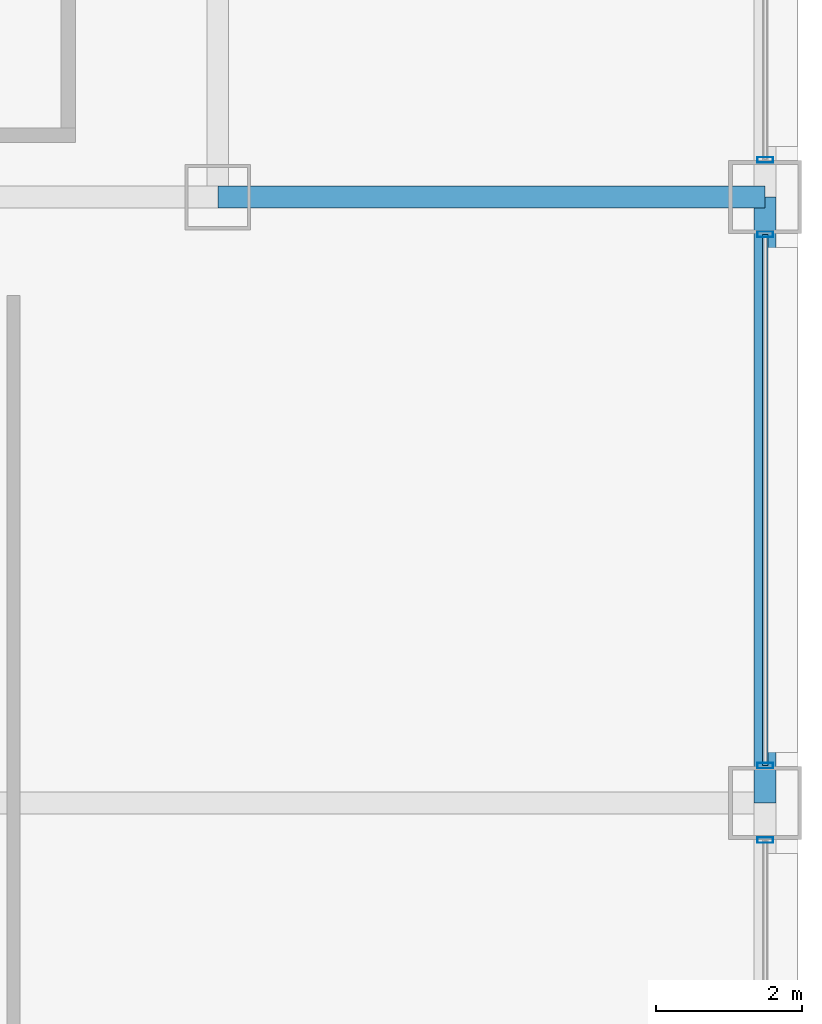
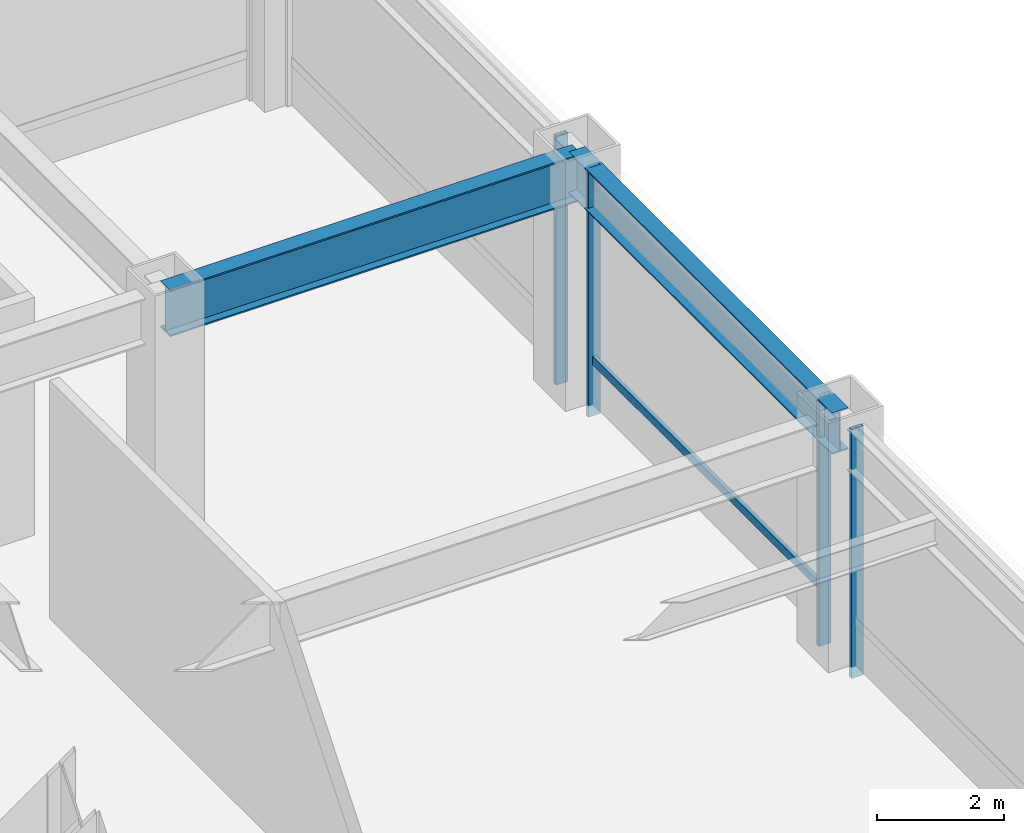
# One storey, part 20 of 37: 5 members, 2 beams, 3 elements without a shape of their own.
"""IFC4 building model written with IfcOpenShell, lengths in metres."""

from ifc_helpers import new_model, si_unit, direction, frame, origin, origin_2d, place, context, subcontext, project, spatial, hollow_rectangle, i_section, extrude, material, layer, layer_set, material_profile, profile_set, type_object, element, aggregate, save


model = new_model("IFC4")

# Units and contexts
model_context = context("Model", 3, precision=1e-05, world=origin(), true_north=direction((0.0, 1.0)))
body_context = subcontext(model_context, "Body", "Model", "MODEL_VIEW")
ifc_project = project(units=[si_unit("LENGTHUNIT", "METRE"), si_unit("AREAUNIT", "SQUARE_METRE"), si_unit("VOLUMEUNIT", "CUBIC_METRE"), si_unit("PLANEANGLEUNIT", "RADIAN"), si_unit("MASSUNIT", "GRAM", prefix="KILO")], contexts=[model_context])

# Site, building, storey
site_placement = place(None, origin())
site = spatial("IfcSite", under=ifc_project, at=site_placement, CompositionType="ELEMENT")
building_placement = place(site_placement, origin())
building = spatial("IfcBuilding", under=site, at=building_placement, Name="Brelmoor Portico Tower", CompositionType="ELEMENT")
storey_placement = place(building_placement, frame((0.0, 0.0, 14.39990234375)))
storey = spatial("IfcBuildingStorey", under=building, at=storey_placement, Name="L03", CompositionType="ELEMENT", Elevation=14.39990234375)

# Beams
ifc_material_1 = material(Name="Steel Q355B", Category="steel")
ifc_material_profile_1 = material_profile(ifc_material_1, i_section(OverallWidth=0.300048828125, OverallDepth=0.89990234375, WebThickness=0.01611328125, FlangeThickness=0.028076171875, at=origin_2d()), Name="HN 900x300x16x28")
ifc_profile_set_1 = profile_set([ifc_material_profile_1], Name="Steel Q355B")
beam_type_1 = type_object("IfcBeamType", Name="BM-PG-900", PredefinedType="BEAM", material=ifc_profile_set_1)
beam_1_placement = place(storey_placement, frame((21.050048828125, 18.050048828125, 4.130126953125), z_axis=(1.0, 0.0, 0.0), x_axis=(0.0, 1.0, 0.0)))
element("IfcBeam", 1, at=beam_1_placement, inside=storey, type_object=beam_type_1, Name="L03 Primary Floor Girder PG-43", PredefinedType="BEAM", context=body_context, shape_type="SweptSolid", body=[
    extrude(i_section(OverallWidth=0.300048828125, OverallDepth=0.89990234375, WebThickness=0.01611328125, FlangeThickness=0.028076171875, at=origin_2d()), origin(), (0.0, 0.0, 1.0), 7.5),
])
ifc_material_profile_2 = material_profile(ifc_material_1, i_section(OverallWidth=0.300048828125, OverallDepth=0.800048828125, WebThickness=0.013916015625, FlangeThickness=0.02587890625, at=origin_2d()), Name="HN 800x300x14x26")
ifc_profile_set_2 = profile_set([ifc_material_profile_2], Name="Steel Q355B")
beam_type_2 = type_object("IfcBeamType", Name="BM-SP-800", PredefinedType="SPANDREL", material=ifc_profile_set_2)
beam_2_placement = place(storey_placement, frame((28.550048828125, 9.75, 4.18017578125), z_axis=(0.0, 1.0, 0.0), x_axis=(-1.0, 0.0, 0.0)))
element("IfcBeam", 2, at=beam_2_placement, inside=storey, type_object=beam_type_2, Name="L03 Perimeter Spandrel Beam SP-21", PredefinedType="SPANDREL", context=body_context, shape_type="SweptSolid", body=[
    extrude(i_section(OverallWidth=0.300048828125, OverallDepth=0.800048828125, WebThickness=0.013916015625, FlangeThickness=0.02587890625, at=origin_2d()), origin(), (0.0, 0.0, 1.0), 8.300048828125),
])

# Curtain wall, member
ifc_material_2 = material(Name="Anodised Aluminium Alloy 6063-T6", Category="aluminium")
ifc_layer = layer(ifc_material_2, 0.179931640625)
ifc_layer_set = layer_set([ifc_layer], Name="Anodised Aluminium Alloy 6063-T6")
curtain_wall_type = type_object("IfcCurtainWallType", Name="CW-PODIUM-ARCH", PredefinedType="NOTDEFINED", material=ifc_layer_set)
curtain_wall_1_placement = place(storey_placement, origin())
curtain_wall_1 = element("IfcCurtainWall", 3, at=curtain_wall_1_placement, inside=storey, type_object=curtain_wall_type, Name="L03 Curtain Wall CW-L03-12-4", PredefinedType="NOTDEFINED")
ifc_material_profile_3 = material_profile(ifc_material_2, hollow_rectangle(XDim=0.074951171875, YDim=0.219970703125, WallThickness=0.0048828125, at=origin_2d()), Name="ALU MULLION 75x220")
ifc_profile_set_3 = profile_set([ifc_material_profile_3], Name="Anodised Aluminium Alloy 6063-T6")
member_type_1 = type_object("IfcMemberType", Name="MB-CW-MULL-220", PredefinedType="MULLION", material=ifc_profile_set_3)
member_1_placement = place(storey_placement, frame((28.550048828125, 9.239990234375, -0.219970703125), z_axis=(0.0, 0.0, 1.0), x_axis=(0.0, 1.0, 0.0)))
member_1 = element("IfcMember", 4, at=member_1_placement, type_object=member_type_1, Name="CW-L03-12-4 Mullion 01", PredefinedType="MULLION", context=body_context, shape_type="SweptSolid", body=[
    extrude(hollow_rectangle(XDim=0.074951171875, YDim=0.219970703125, WallThickness=0.0048828125, at=origin_2d()), origin(), (0.0, 0.0, 1.0), 4.800048828125),
])
aggregate(curtain_wall_1, [member_1])

# Curtain wall, members
curtain_wall_2_placement = place(storey_placement, origin())
curtain_wall_2 = element("IfcCurtainWall", 5, at=curtain_wall_2_placement, inside=storey, type_object=curtain_wall_type, Name="L03 Curtain Wall CW-L03-12-5", PredefinedType="NOTDEFINED")
member_2_placement = place(storey_placement, frame((28.550048828125, 10.260009765625, -0.219970703125), z_axis=(0.0, 0.0, 1.0), x_axis=(0.0, 1.0, 0.0)))
member_2 = element("IfcMember", 6, at=member_2_placement, type_object=member_type_1, Name="CW-L03-12-5 Mullion 00", PredefinedType="MULLION", context=body_context, shape_type="SweptSolid", body=[
    extrude(hollow_rectangle(XDim=0.074951171875, YDim=0.219970703125, WallThickness=0.0048828125, at=origin_2d()), origin(), (0.0, 0.0, 1.0), 4.800048828125),
])
member_3_placement = place(storey_placement, frame((28.550048828125, 17.5400390625, -0.219970703125), z_axis=(0.0, 0.0, 1.0), x_axis=(0.0, 1.0, 0.0)))
member_3 = element("IfcMember", 7, at=member_3_placement, type_object=member_type_1, Name="CW-L03-12-5 Mullion 01", PredefinedType="MULLION", context=body_context, shape_type="SweptSolid", body=[
    extrude(hollow_rectangle(XDim=0.074951171875, YDim=0.219970703125, WallThickness=0.0048828125, at=origin_2d()), origin(), (0.0, 0.0, 1.0), 4.800048828125),
])

# Curtain wall, member
curtain_wall_3_placement = place(storey_placement, origin())
curtain_wall_3 = element("IfcCurtainWall", 8, at=curtain_wall_3_placement, inside=storey, type_object=curtain_wall_type, Name="L03 Curtain Wall CW-L03-12-6", PredefinedType="NOTDEFINED")
member_4_placement = place(storey_placement, frame((28.550048828125, 18.56005859375, -0.219970703125), z_axis=(0.0, 0.0, 1.0), x_axis=(0.0, 1.0, 0.0)))
member_4 = element("IfcMember", 9, at=member_4_placement, type_object=member_type_1, Name="CW-L03-12-6 Mullion 00", PredefinedType="MULLION", context=body_context, shape_type="SweptSolid", body=[
    extrude(hollow_rectangle(XDim=0.074951171875, YDim=0.219970703125, WallThickness=0.0048828125, at=origin_2d()), origin(), (0.0, 0.0, 1.0), 4.800048828125),
])
aggregate(curtain_wall_3, [member_4])

# Member
ifc_material_profile_4 = material_profile(ifc_material_2, hollow_rectangle(XDim=0.070068359375, YDim=0.159912109375, WallThickness=0.00390625, at=origin_2d()), Name="ALU TRANSOM 70x160")
ifc_profile_set_4 = profile_set([ifc_material_profile_4], Name="Anodised Aluminium Alloy 6063-T6")
member_type_2 = type_object("IfcMemberType", Name="MB-CW-TRAN-160", PredefinedType="USERDEFINED", material=ifc_profile_set_4)
member_5_placement = place(storey_placement, frame((28.550048828125, 10.260009765625, 0.85009765625), z_axis=(0.0, 1.0, 0.0), x_axis=(-1.0, 0.0, 0.0)))
member_5 = element("IfcMember", 10, at=member_5_placement, type_object=member_type_2, Name="CW-L03-12-5 Transom 1-00", ObjectType="TRANSOM", PredefinedType="USERDEFINED", context=body_context, shape_type="SweptSolid", body=[
    extrude(hollow_rectangle(XDim=0.070068359375, YDim=0.159912109375, WallThickness=0.00390625, at=origin_2d()), origin(), (0.0, 0.0, 1.0), 7.280029296875),
])

aggregate(curtain_wall_2, [member_2, member_3, member_5])

save(model, "model.ifc")
